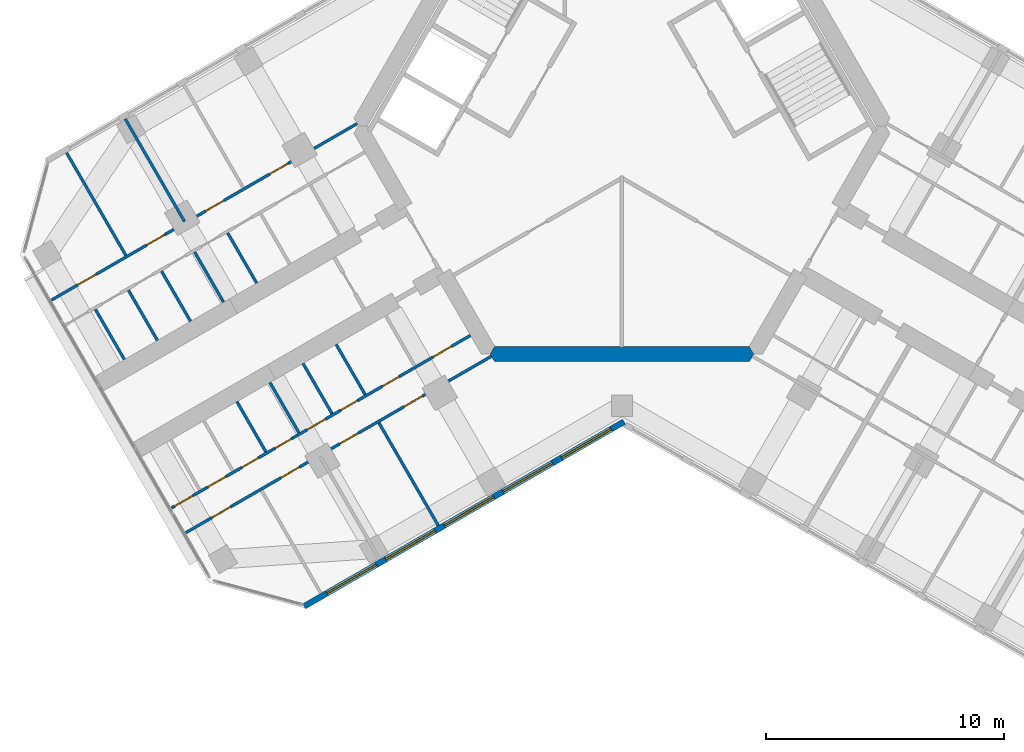
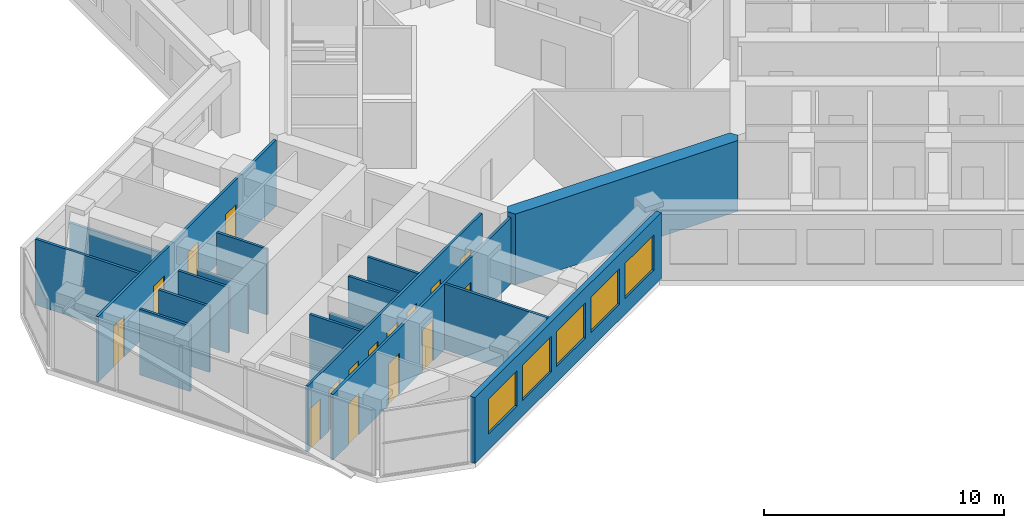
# One storey, part 8 of 16: 17 walls, 16 doors, 5 windows, 21 openings.
"""IFC4 building model written with IfcOpenShell, lengths in metres."""

from ifc_helpers import new_model, si_unit, direction, frame, frame_2d, origin, place, context, subcontext, project, spatial, polyline, rectangle, outline, extrude, material, layer, layer_set, type_object, element, fill, save


model = new_model("IFC4")

# Units and contexts
model_context = context("Model", 3, precision=1e-05, world=origin(), true_north=direction((0.0, 1.0)))
body_context = subcontext(model_context, "Body", "Model", "MODEL_VIEW")
ifc_project = project(units=[si_unit("LENGTHUNIT", "METRE"), si_unit("AREAUNIT", "SQUARE_METRE"), si_unit("VOLUMEUNIT", "CUBIC_METRE"), si_unit("PLANEANGLEUNIT", "RADIAN"), si_unit("MASSUNIT", "GRAM", prefix="KILO")], contexts=[model_context])

# Site, building, storey
site_placement = place(None, origin())
site = spatial("IfcSite", under=ifc_project, at=site_placement, CompositionType="ELEMENT")
building_placement = place(site_placement, origin())
building = spatial("IfcBuilding", under=site, at=building_placement, Name="Kosmar Iwan School Tower", CompositionType="ELEMENT")
storey_placement = place(building_placement, frame((0.0, 0.0, 219.0)))
storey = spatial("IfcBuildingStorey", under=building, at=storey_placement, Name="L55", CompositionType="ELEMENT", Elevation=219.0)

# Wall
ifc_material_1 = material(Name="Concrete C50/60", Category="concrete")
ifc_layer_1 = layer(ifc_material_1, 0.64990234375)
ifc_layer_set_1 = layer_set([ifc_layer_1], Name="Core wall 650")
wall_type_1 = type_object("IfcWallType", Name="Core wall 650", PredefinedType="SHEAR", material=ifc_layer_set_1)
wall_1_placement = place(storey_placement, origin())
element("IfcWall", 1, at=wall_1_placement, inside=storey, type_object=wall_type_1, Name="Core wall F270", PredefinedType="SHEAR", context=body_context, shape_type="SweptSolid", body=[
    extrude(outline(polyline([(-5.35498046875, -9.925048828125), (5.35498046875, -9.925048828125), (5.54248046875, -9.60009765625), (5.35498046875, -9.27490234375), (-5.35498046875, -9.27490234375), (-5.54248046875, -9.60009765625), (-5.35498046875, -9.925048828125)])), origin(), (0.0, 0.0, 1.0), 3.60009765625),
])

# Wall, openings, doors
ifc_material_2 = material(Name="Gypsum board on steel studs", Category="steel")
ifc_layer_2 = layer(ifc_material_2, 0.1201171875)
ifc_layer_set_2 = layer_set([ifc_layer_2], Name="Dwelling partition 120")
wall_type_2 = type_object("IfcWallType", Name="Dwelling partition 120", PredefinedType="PARTITIONING", material=ifc_layer_set_2)
wall_2_placement = place(storey_placement, frame((-6.370361328125, -8.81640625, 0.0), z_axis=(0.0, 0.0, 1.0), x_axis=(-0.866025425371, -0.499999962611, 0.0)))
wall_2 = element("IfcWall", 2, at=wall_2_placement, inside=storey, type_object=wall_type_2, Name="Partition L55-BL1-W1", PredefinedType="PARTITIONING", context=body_context, shape_type="SweptSolid", body=[
    extrude(rectangle(XDim=14.52001953125, YDim=0.1201171875, at=frame_2d((7.260009765625, 0.0))), origin(), (0.0, 0.0, 1.0), 3.35009765625),
])
opening_1_placement = place(wall_2_placement, frame((0.925048828125, 0.0, 0.0)))
opening_1 = element("IfcOpeningElement", 3, at=opening_1_placement, cuts=wall_2, Name="Opening D2", PredefinedType="OPENING", context=body_context, shape_type="SweptSolid", body=[
    extrude(rectangle(XDim=0.89990234375, YDim=2.10009765625, at=frame_2d((0.449951171875, 1.050048828125))), frame((0.0, 0.072021484375, 0.0), z_axis=(0.0, -1.0, 0.0), x_axis=(1.0, 0.0, 0.0)), (0.0, 0.0, 1.0), 0.14404296875),
])
opening_2_placement = place(wall_2_placement, frame((3.47998046875, 0.0, 0.0)))
opening_2 = element("IfcOpeningElement", 4, at=opening_2_placement, cuts=wall_2, Name="Opening D3", PredefinedType="OPENING", context=body_context, shape_type="SweptSolid", body=[
    extrude(rectangle(XDim=0.800048828125, YDim=2.10009765625, at=frame_2d((0.39990234375, 1.050048828125))), frame((0.0, 0.072021484375, 0.0), z_axis=(0.0, -1.0, 0.0), x_axis=(1.0, 0.0, 0.0)), (0.0, 0.0, 1.0), 0.14404296875),
])
opening_3_placement = place(wall_2_placement, frame((5.48828125, 0.0, 0.0)))
opening_3 = element("IfcOpeningElement", 5, at=opening_3_placement, cuts=wall_2, Name="Opening D3", PredefinedType="OPENING", context=body_context, shape_type="SweptSolid", body=[
    extrude(rectangle(XDim=0.800048828125, YDim=2.10009765625, at=frame_2d((0.39990234375, 1.050048828125))), frame((0.0, 0.072021484375, 0.0), z_axis=(0.0, -1.0, 0.0), x_axis=(1.0, 0.0, 0.0)), (0.0, 0.0, 1.0), 0.14404296875),
])
opening_4_placement = place(wall_2_placement, frame((7.044921875, 0.0, 0.0)))
opening_4 = element("IfcOpeningElement", 6, at=opening_4_placement, cuts=wall_2, Name="Opening D2", PredefinedType="OPENING", context=body_context, shape_type="SweptSolid", body=[
    extrude(rectangle(XDim=0.89990234375, YDim=2.10009765625, at=frame_2d((0.449951171875, 1.050048828125))), frame((0.0, 0.072021484375, 0.0), z_axis=(0.0, -1.0, 0.0), x_axis=(1.0, 0.0, 0.0)), (0.0, 0.0, 1.0), 0.14404296875),
])
opening_5_placement = place(wall_2_placement, frame((8.70166015625, 0.0, 0.0)))
opening_5 = element("IfcOpeningElement", 7, at=opening_5_placement, cuts=wall_2, Name="Opening D3", PredefinedType="OPENING", context=body_context, shape_type="SweptSolid", body=[
    extrude(rectangle(XDim=0.800048828125, YDim=2.10009765625, at=frame_2d((0.39990234375, 1.050048828125))), frame((0.0, 0.072021484375, 0.0), z_axis=(0.0, -1.0, 0.0), x_axis=(1.0, 0.0, 0.0)), (0.0, 0.0, 1.0), 0.14404296875),
])
opening_6_placement = place(wall_2_placement, frame((10.308349609375, 0.0, 0.0)))
opening_6 = element("IfcOpeningElement", 8, at=opening_6_placement, cuts=wall_2, Name="Opening D3", PredefinedType="OPENING", context=body_context, shape_type="SweptSolid", body=[
    extrude(rectangle(XDim=0.800048828125, YDim=2.10009765625, at=frame_2d((0.39990234375, 1.050048828125))), frame((0.0, 0.072021484375, 0.0), z_axis=(0.0, -1.0, 0.0), x_axis=(1.0, 0.0, 0.0)), (0.0, 0.0, 1.0), 0.14404296875),
])
opening_7_placement = place(wall_2_placement, frame((11.864990234375, 0.0, 0.0)))
opening_7 = element("IfcOpeningElement", 9, at=opening_7_placement, cuts=wall_2, Name="Opening D2", PredefinedType="OPENING", context=body_context, shape_type="SweptSolid", body=[
    extrude(rectangle(XDim=0.89990234375, YDim=2.10009765625, at=frame_2d((0.449951171875, 1.050048828125))), frame((0.0, 0.072021484375, 0.0), z_axis=(0.0, -1.0, 0.0), x_axis=(1.0, 0.0, 0.0)), (0.0, 0.0, 1.0), 0.14404296875),
])
opening_8_placement = place(wall_2_placement, frame((13.4716796875, 0.0, 0.0)))
opening_8 = element("IfcOpeningElement", 10, at=opening_8_placement, cuts=wall_2, Name="Opening D2", PredefinedType="OPENING", context=body_context, shape_type="SweptSolid", body=[
    extrude(rectangle(XDim=0.89990234375, YDim=2.10009765625, at=frame_2d((0.449951171875, 1.050048828125))), frame((0.0, 0.072021484375, 0.0), z_axis=(0.0, -1.0, 0.0), x_axis=(1.0, 0.0, 0.0)), (0.0, 0.0, 1.0), 0.14404296875),
])
ifc_material_3 = material(Name="Timber door in timber frame", Category="wood")
door_type_1 = type_object("IfcDoorType", Name="Internal door 900x2100", OperationType="SINGLE_SWING_LEFT", PredefinedType="DOOR", material=ifc_material_3)
door_1_placement = place(opening_1_placement, origin())
door_1 = element("IfcDoor", 11, at=door_1_placement, inside=storey, type_object=door_type_1, Name="Entrance hall door L55-BL1-S1", OperationType="SINGLE_SWING_LEFT", OverallHeight=2.10009765625, OverallWidth=0.89990234375, PredefinedType="DOOR", context=body_context, shape_type="SweptSolid", body=[
    extrude(rectangle(XDim=0.89990234375, YDim=2.10009765625, at=frame_2d((0.449951171875, 1.050048828125))), frame((0.0, 0.02490234375, 0.0), z_axis=(0.0, -1.0, 0.0), x_axis=(1.0, 0.0, 0.0)), (0.0, 0.0, 1.0), 0.050048828125),
])
fill(opening_1, door_1)
door_2_placement = place(opening_4_placement, origin())
door_2 = element("IfcDoor", 12, at=door_2_placement, inside=storey, type_object=door_type_1, Name="Pantry door L55-BL1-S4", OperationType="SINGLE_SWING_LEFT", OverallHeight=2.10009765625, OverallWidth=0.89990234375, PredefinedType="DOOR", context=body_context, shape_type="SweptSolid", body=[
    extrude(rectangle(XDim=0.89990234375, YDim=2.10009765625, at=frame_2d((0.449951171875, 1.050048828125))), frame((0.0, 0.02490234375, 0.0), z_axis=(0.0, -1.0, 0.0), x_axis=(1.0, 0.0, 0.0)), (0.0, 0.0, 1.0), 0.050048828125),
])
fill(opening_4, door_2)
door_3_placement = place(opening_7_placement, origin())
door_3 = element("IfcDoor", 13, at=door_3_placement, inside=storey, type_object=door_type_1, Name="Utility room door L55-BL1-S7", OperationType="SINGLE_SWING_RIGHT", OverallHeight=2.10009765625, OverallWidth=0.89990234375, PredefinedType="DOOR", context=body_context, shape_type="SweptSolid", body=[
    extrude(rectangle(XDim=0.89990234375, YDim=2.10009765625, at=frame_2d((0.449951171875, 1.050048828125))), frame((0.0, 0.02490234375, 0.0), z_axis=(0.0, -1.0, 0.0), x_axis=(1.0, 0.0, 0.0)), (0.0, 0.0, 1.0), 0.050048828125),
])
fill(opening_7, door_3)
door_4_placement = place(opening_8_placement, origin())
door_4 = element("IfcDoor", 14, at=door_4_placement, inside=storey, type_object=door_type_1, Name="Dressing room door L55-BL1-S8", OperationType="SINGLE_SWING_RIGHT", OverallHeight=2.10009765625, OverallWidth=0.89990234375, PredefinedType="DOOR", context=body_context, shape_type="SweptSolid", body=[
    extrude(rectangle(XDim=0.89990234375, YDim=2.10009765625, at=frame_2d((0.449951171875, 1.050048828125))), frame((0.0, 0.02490234375, 0.0), z_axis=(0.0, -1.0, 0.0), x_axis=(1.0, 0.0, 0.0)), (0.0, 0.0, 1.0), 0.050048828125),
])
fill(opening_8, door_4)
ifc_material_4 = material(Name="Timber door in timber frame", Category="wood")
door_type_2 = type_object("IfcDoorType", Name="Sanitary room door 800x2100", OperationType="SINGLE_SWING_LEFT", PredefinedType="DOOR", material=ifc_material_4)
door_5_placement = place(opening_2_placement, origin())
door_5 = element("IfcDoor", 15, at=door_5_placement, inside=storey, type_object=door_type_2, Name="Bathroom door L55-BL1-S2", OperationType="SINGLE_SWING_LEFT", OverallHeight=2.10009765625, OverallWidth=0.800048828125, PredefinedType="DOOR", context=body_context, shape_type="SweptSolid", body=[
    extrude(rectangle(XDim=0.800048828125, YDim=2.10009765625, at=frame_2d((0.39990234375, 1.050048828125))), frame((0.0, 0.02490234375, 0.0), z_axis=(0.0, -1.0, 0.0), x_axis=(1.0, 0.0, 0.0)), (0.0, 0.0, 1.0), 0.050048828125),
])
fill(opening_2, door_5)
door_6_placement = place(opening_3_placement, origin())
door_6 = element("IfcDoor", 16, at=door_6_placement, inside=storey, type_object=door_type_2, Name="Shower room door L55-BL1-S3", OperationType="SINGLE_SWING_LEFT", OverallHeight=2.10009765625, OverallWidth=0.800048828125, PredefinedType="DOOR", context=body_context, shape_type="SweptSolid", body=[
    extrude(rectangle(XDim=0.800048828125, YDim=2.10009765625, at=frame_2d((0.39990234375, 1.050048828125))), frame((0.0, 0.02490234375, 0.0), z_axis=(0.0, -1.0, 0.0), x_axis=(1.0, 0.0, 0.0)), (0.0, 0.0, 1.0), 0.050048828125),
])
fill(opening_3, door_6)
door_7_placement = place(opening_5_placement, origin())
door_7 = element("IfcDoor", 17, at=door_7_placement, inside=storey, type_object=door_type_2, Name="WC door L55-BL1-S5", OperationType="SINGLE_SWING_RIGHT", OverallHeight=2.10009765625, OverallWidth=0.800048828125, PredefinedType="DOOR", context=body_context, shape_type="SweptSolid", body=[
    extrude(rectangle(XDim=0.800048828125, YDim=2.10009765625, at=frame_2d((0.39990234375, 1.050048828125))), frame((0.0, 0.02490234375, 0.0), z_axis=(0.0, -1.0, 0.0), x_axis=(1.0, 0.0, 0.0)), (0.0, 0.0, 1.0), 0.050048828125),
])
fill(opening_5, door_7)
door_8_placement = place(opening_6_placement, origin())
door_8 = element("IfcDoor", 18, at=door_8_placement, inside=storey, type_object=door_type_2, Name="Store door L55-BL1-S6", OperationType="SINGLE_SWING_RIGHT", OverallHeight=2.10009765625, OverallWidth=0.800048828125, PredefinedType="DOOR", context=body_context, shape_type="SweptSolid", body=[
    extrude(rectangle(XDim=0.800048828125, YDim=2.10009765625, at=frame_2d((0.39990234375, 1.050048828125))), frame((0.0, 0.02490234375, 0.0), z_axis=(0.0, -1.0, 0.0), x_axis=(1.0, 0.0, 0.0)), (0.0, 0.0, 1.0), 0.050048828125),
])
fill(opening_6, door_8)

wall_3_placement = place(storey_placement, frame((-5.48876953125, -9.693115234375, 0.0), z_axis=(0.0, 0.0, 1.0), x_axis=(-0.866030301974, -0.499991515992, 0.0)))
wall_3 = element("IfcWall", 19, at=wall_3_placement, inside=storey, type_object=wall_type_2, Name="Partition L55-BL1-W2", PredefinedType="PARTITIONING", context=body_context, shape_type="SweptSolid", body=[
    extrude(rectangle(XDim=14.844970703125, YDim=0.1201171875, at=frame_2d((7.42236328125, 0.0))), origin(), (0.0, 0.0, 1.0), 3.35009765625),
])
opening_9_placement = place(wall_3_placement, frame((3.35009765625, 0.0, 0.0)))
opening_9 = element("IfcOpeningElement", 20, at=opening_9_placement, cuts=wall_3, Name="Opening D2", PredefinedType="OPENING", context=body_context, shape_type="SweptSolid", body=[
    extrude(rectangle(XDim=0.89990234375, YDim=2.10009765625, at=frame_2d((0.449951171875, 1.050048828125))), frame((0.0, 0.072021484375, 0.0), z_axis=(0.0, -1.0, 0.0), x_axis=(1.0, 0.0, 0.0)), (0.0, 0.0, 1.0), 0.14404296875),
])
opening_10_placement = place(wall_3_placement, frame((6.47509765625, 0.0, 0.0)))
opening_10 = element("IfcOpeningElement", 21, at=opening_10_placement, cuts=wall_3, Name="Opening D2", PredefinedType="OPENING", context=body_context, shape_type="SweptSolid", body=[
    extrude(rectangle(XDim=0.89990234375, YDim=2.10009765625, at=frame_2d((0.449951171875, 1.050048828125))), frame((0.0, 0.072021484375, 0.0), z_axis=(0.0, -1.0, 0.0), x_axis=(1.0, 0.0, 0.0)), (0.0, 0.0, 1.0), 0.14404296875),
])
opening_11_placement = place(wall_3_placement, frame((9.324951171875, 0.0, 0.0)))
opening_11 = element("IfcOpeningElement", 22, at=opening_11_placement, cuts=wall_3, Name="Opening D2", PredefinedType="OPENING", context=body_context, shape_type="SweptSolid", body=[
    extrude(rectangle(XDim=0.89990234375, YDim=2.10009765625, at=frame_2d((0.449951171875, 1.050048828125))), frame((0.0, 0.072021484375, 0.0), z_axis=(0.0, -1.0, 0.0), x_axis=(1.0, 0.0, 0.0)), (0.0, 0.0, 1.0), 0.14404296875),
])
opening_12_placement = place(wall_3_placement, frame((12.675048828125, 0.0, 0.0)))
opening_12 = element("IfcOpeningElement", 23, at=opening_12_placement, cuts=wall_3, Name="Opening D2", PredefinedType="OPENING", context=body_context, shape_type="SweptSolid", body=[
    extrude(rectangle(XDim=0.89990234375, YDim=2.10009765625, at=frame_2d((0.449951171875, 1.050048828125))), frame((0.0, 0.072021484375, 0.0), z_axis=(0.0, -1.0, 0.0), x_axis=(1.0, 0.0, 0.0)), (0.0, 0.0, 1.0), 0.14404296875),
])
door_9_placement = place(opening_9_placement, origin())
door_9 = element("IfcDoor", 24, at=door_9_placement, inside=storey, type_object=door_type_1, Name="Living room and kitchen door L55-BL1-F1", OperationType="SINGLE_SWING_RIGHT", OverallHeight=2.10009765625, OverallWidth=0.89990234375, PredefinedType="DOOR", context=body_context, shape_type="SweptSolid", body=[
    extrude(rectangle(XDim=0.89990234375, YDim=2.10009765625, at=frame_2d((0.449951171875, 1.050048828125))), frame((0.0, 0.02490234375, 0.0), z_axis=(0.0, -1.0, 0.0), x_axis=(1.0, 0.0, 0.0)), (0.0, 0.0, 1.0), 0.050048828125),
])
fill(opening_9, door_9)
door_10_placement = place(opening_10_placement, origin())
door_10 = element("IfcDoor", 25, at=door_10_placement, inside=storey, type_object=door_type_1, Name="Bedroom 1 door L55-BL1-F2", OperationType="SINGLE_SWING_LEFT", OverallHeight=2.10009765625, OverallWidth=0.89990234375, PredefinedType="DOOR", context=body_context, shape_type="SweptSolid", body=[
    extrude(rectangle(XDim=0.89990234375, YDim=2.10009765625, at=frame_2d((0.449951171875, 1.050048828125))), frame((0.0, 0.02490234375, 0.0), z_axis=(0.0, -1.0, 0.0), x_axis=(1.0, 0.0, 0.0)), (0.0, 0.0, 1.0), 0.050048828125),
])
fill(opening_10, door_10)
door_11_placement = place(opening_11_placement, origin())
door_11 = element("IfcDoor", 26, at=door_11_placement, inside=storey, type_object=door_type_1, Name="Bedroom 2 door L55-BL1-F3", OperationType="SINGLE_SWING_RIGHT", OverallHeight=2.10009765625, OverallWidth=0.89990234375, PredefinedType="DOOR", context=body_context, shape_type="SweptSolid", body=[
    extrude(rectangle(XDim=0.89990234375, YDim=2.10009765625, at=frame_2d((0.449951171875, 1.050048828125))), frame((0.0, 0.02490234375, 0.0), z_axis=(0.0, -1.0, 0.0), x_axis=(1.0, 0.0, 0.0)), (0.0, 0.0, 1.0), 0.050048828125),
])
fill(opening_11, door_11)
door_12_placement = place(opening_12_placement, origin())
door_12 = element("IfcDoor", 27, at=door_12_placement, inside=storey, type_object=door_type_1, Name="Bedroom 3 door L55-BL1-F4", OperationType="SINGLE_SWING_RIGHT", OverallHeight=2.10009765625, OverallWidth=0.89990234375, PredefinedType="DOOR", context=body_context, shape_type="SweptSolid", body=[
    extrude(rectangle(XDim=0.89990234375, YDim=2.10009765625, at=frame_2d((0.449951171875, 1.050048828125))), frame((0.0, 0.02490234375, 0.0), z_axis=(0.0, -1.0, 0.0), x_axis=(1.0, 0.0, 0.0)), (0.0, 0.0, 1.0), 0.050048828125),
])
fill(opening_12, door_12)

# Walls
wall_4_placement = place(storey_placement, frame((-10.221923828125, -12.4951171875, 0.0), z_axis=(0.0, 0.0, 1.0), x_axis=(0.499996339024, -0.86602751744, 0.0)))
element("IfcWall", 28, at=wall_4_placement, inside=storey, type_object=wall_type_2, Name="Partition L55-BL1-X1", PredefinedType="PARTITIONING", context=body_context, shape_type="SweptSolid", body=[
    extrude(rectangle(XDim=4.98974609375, YDim=0.1201171875, at=frame_2d((2.494873046875, 0.0))), origin(), (0.0, 0.0, 1.0), 3.35009765625),
])
for number, where, z_axis, x_axis, name in (
    (29, (-12.02392578125, -9.19384765625, 0.0), (0.0, 0.0, 1.0), (0.500002508028, -0.866023955769, 0.0), "Partition L55-BL1-Y2"),
    (30, (-13.41552734375, -9.9970703125, 0.0), (0.0, 0.0, 1.0), (0.500002508028, -0.866023955769, 0.0), "Partition L55-BL1-Y3"),
):
    element("IfcWall", number, at=place(storey_placement, frame(where, z_axis=z_axis, x_axis=x_axis)), inside=storey, type_object=wall_type_2, Name=name, PredefinedType="PARTITIONING", context=body_context, shape_type="SweptSolid", body=[
        extrude(rectangle(XDim=2.43994140625, YDim=0.1201171875, at=frame_2d((1.219970703125, 0.0))), origin(), (0.0, 0.0, 1.0), 3.35009765625),
    ])
wall_5_placement = place(storey_placement, frame((-14.806884765625, -10.80029296875, 0.0), z_axis=(0.0, 0.0, 1.0), x_axis=(0.499959183527, -0.866048967903, 0.0)))
element("IfcWall", 31, at=wall_5_placement, inside=storey, type_object=wall_type_2, Name="Partition L55-BL1-Y4", PredefinedType="PARTITIONING", context=body_context, shape_type="SweptSolid", body=[
    extrude(rectangle(XDim=2.440185546875, YDim=0.1201171875, at=frame_2d((1.22021484375, 0.0))), origin(), (0.0, 0.0, 1.0), 2.449951171875),
])
wall_6_placement = place(storey_placement, frame((-16.1982421875, -11.603759765625, 0.0), z_axis=(0.0, 0.0, 1.0), x_axis=(0.500002508028, -0.866023955769, 0.0)))
element("IfcWall", 32, at=wall_6_placement, inside=storey, type_object=wall_type_2, Name="Partition L55-BL1-Y5", PredefinedType="PARTITIONING", context=body_context, shape_type="SweptSolid", body=[
    extrude(rectangle(XDim=2.43994140625, YDim=0.1201171875, at=frame_2d((1.219970703125, 0.0))), origin(), (0.0, 0.0, 1.0), 3.35009765625),
])

# Wall, openings, doors
wall_7_placement = place(storey_placement, frame((-11.138916015625, 0.093017578125, 0.0), z_axis=(0.0, 0.0, 1.0), x_axis=(-0.866030301974, -0.499991515992, 0.0)))
wall_7 = element("IfcWall", 33, at=wall_7_placement, inside=storey, type_object=wall_type_2, Name="Partition L55-BR1-W2", PredefinedType="PARTITIONING", context=body_context, shape_type="SweptSolid", body=[
    extrude(rectangle(XDim=14.844970703125, YDim=0.1201171875, at=frame_2d((7.42236328125, 0.0))), origin(), (0.0, 0.0, 1.0), 3.35009765625),
])
opening_13_placement = place(wall_7_placement, frame((3.35009765625, 0.0, 0.0)))
opening_13 = element("IfcOpeningElement", 34, at=opening_13_placement, cuts=wall_7, Name="Opening D2", PredefinedType="OPENING", context=body_context, shape_type="SweptSolid", body=[
    extrude(rectangle(XDim=0.89990234375, YDim=2.10009765625, at=frame_2d((0.449951171875, 1.050048828125))), frame((0.0, 0.072021484375, 0.0), z_axis=(0.0, -1.0, 0.0), x_axis=(1.0, 0.0, 0.0)), (0.0, 0.0, 1.0), 0.14404296875),
])
opening_14_placement = place(wall_7_placement, frame((6.47509765625, 0.0, 0.0)))
opening_14 = element("IfcOpeningElement", 35, at=opening_14_placement, cuts=wall_7, Name="Opening D2", PredefinedType="OPENING", context=body_context, shape_type="SweptSolid", body=[
    extrude(rectangle(XDim=0.89990234375, YDim=2.10009765625, at=frame_2d((0.449951171875, 1.050048828125))), frame((0.0, 0.072021484375, 0.0), z_axis=(0.0, -1.0, 0.0), x_axis=(1.0, 0.0, 0.0)), (0.0, 0.0, 1.0), 0.14404296875),
])
opening_15_placement = place(wall_7_placement, frame((9.324951171875, 0.0, 0.0)))
opening_15 = element("IfcOpeningElement", 36, at=opening_15_placement, cuts=wall_7, Name="Opening D2", PredefinedType="OPENING", context=body_context, shape_type="SweptSolid", body=[
    extrude(rectangle(XDim=0.89990234375, YDim=2.10009765625, at=frame_2d((0.449951171875, 1.050048828125))), frame((0.0, 0.072021484375, 0.0), z_axis=(0.0, -1.0, 0.0), x_axis=(1.0, 0.0, 0.0)), (0.0, 0.0, 1.0), 0.14404296875),
])
opening_16_placement = place(wall_7_placement, frame((12.675048828125, 0.0, 0.0)))
opening_16 = element("IfcOpeningElement", 37, at=opening_16_placement, cuts=wall_7, Name="Opening D2", PredefinedType="OPENING", context=body_context, shape_type="SweptSolid", body=[
    extrude(rectangle(XDim=0.89990234375, YDim=2.10009765625, at=frame_2d((0.449951171875, 1.050048828125))), frame((0.0, 0.072021484375, 0.0), z_axis=(0.0, -1.0, 0.0), x_axis=(1.0, 0.0, 0.0)), (0.0, 0.0, 1.0), 0.14404296875),
])
door_13_placement = place(opening_13_placement, origin())
door_13 = element("IfcDoor", 38, at=door_13_placement, inside=storey, type_object=door_type_1, Name="Living room and kitchen door L55-BR1-F1", OperationType="SINGLE_SWING_LEFT", OverallHeight=2.10009765625, OverallWidth=0.89990234375, PredefinedType="DOOR", context=body_context, shape_type="SweptSolid", body=[
    extrude(rectangle(XDim=0.89990234375, YDim=2.10009765625, at=frame_2d((0.449951171875, 1.050048828125))), frame((0.0, 0.02490234375, 0.0), z_axis=(0.0, -1.0, 0.0), x_axis=(1.0, 0.0, 0.0)), (0.0, 0.0, 1.0), 0.050048828125),
])
fill(opening_13, door_13)
door_14_placement = place(opening_14_placement, origin())
door_14 = element("IfcDoor", 39, at=door_14_placement, inside=storey, type_object=door_type_1, Name="Bedroom 1 door L55-BR1-F2", OperationType="SINGLE_SWING_LEFT", OverallHeight=2.10009765625, OverallWidth=0.89990234375, PredefinedType="DOOR", context=body_context, shape_type="SweptSolid", body=[
    extrude(rectangle(XDim=0.89990234375, YDim=2.10009765625, at=frame_2d((0.449951171875, 1.050048828125))), frame((0.0, 0.02490234375, 0.0), z_axis=(0.0, -1.0, 0.0), x_axis=(1.0, 0.0, 0.0)), (0.0, 0.0, 1.0), 0.050048828125),
])
fill(opening_14, door_14)
door_15_placement = place(opening_15_placement, origin())
door_15 = element("IfcDoor", 40, at=door_15_placement, inside=storey, type_object=door_type_1, Name="Bedroom 2 door L55-BR1-F3", OperationType="SINGLE_SWING_RIGHT", OverallHeight=2.10009765625, OverallWidth=0.89990234375, PredefinedType="DOOR", context=body_context, shape_type="SweptSolid", body=[
    extrude(rectangle(XDim=0.89990234375, YDim=2.10009765625, at=frame_2d((0.449951171875, 1.050048828125))), frame((0.0, 0.02490234375, 0.0), z_axis=(0.0, -1.0, 0.0), x_axis=(1.0, 0.0, 0.0)), (0.0, 0.0, 1.0), 0.050048828125),
])
fill(opening_15, door_15)
door_16_placement = place(opening_16_placement, origin())
door_16 = element("IfcDoor", 41, at=door_16_placement, inside=storey, type_object=door_type_1, Name="Bedroom 3 door L55-BR1-F4", OperationType="SINGLE_SWING_RIGHT", OverallHeight=2.10009765625, OverallWidth=0.89990234375, PredefinedType="DOOR", context=body_context, shape_type="SweptSolid", body=[
    extrude(rectangle(XDim=0.89990234375, YDim=2.10009765625, at=frame_2d((0.449951171875, 1.050048828125))), frame((0.0, 0.02490234375, 0.0), z_axis=(0.0, -1.0, 0.0), x_axis=(1.0, 0.0, 0.0)), (0.0, 0.0, 1.0), 0.050048828125),
])
fill(opening_16, door_16)

# Walls
wall_8_placement = place(storey_placement, frame((-18.400146484375, -4.030029296875, 0.0), z_axis=(0.0, 0.0, 1.0), x_axis=(-0.500011847778, 0.866018563358, 0.0)))
element("IfcWall", 42, at=wall_8_placement, inside=storey, type_object=wall_type_2, Name="Partition L55-BR1-X2", PredefinedType="PARTITIONING", context=body_context, shape_type="SweptSolid", body=[
    extrude(rectangle(XDim=4.990234375, YDim=0.1201171875, at=frame_2d((2.4951171875, 0.0))), origin(), (0.0, 0.0, 1.0), 2.449951171875),
])
wall_9_placement = place(storey_placement, frame((-20.868408203125, -5.455078125, 0.0), z_axis=(0.0, 0.0, 1.0), x_axis=(-0.499975153383, 0.86603974851, 0.0)))
element("IfcWall", 43, at=wall_9_placement, inside=storey, type_object=wall_type_2, Name="Partition L55-BR1-X3", PredefinedType="PARTITIONING", context=body_context, shape_type="SweptSolid", body=[
    extrude(rectangle(XDim=4.989990234375, YDim=0.1201171875, at=frame_2d((2.4951171875, 0.0))), origin(), (0.0, 0.0, 1.0), 3.35009765625),
])
wall_10_placement = place(storey_placement, frame((-15.365478515625, -6.61962890625, 0.0), z_axis=(0.0, 0.0, 1.0), x_axis=(-0.500002508028, 0.866023955769, 0.0)))
element("IfcWall", 44, at=wall_10_placement, inside=storey, type_object=wall_type_2, Name="Partition L55-BR1-Y3", PredefinedType="PARTITIONING", context=body_context, shape_type="SweptSolid", body=[
    extrude(rectangle(XDim=2.43994140625, YDim=0.1201171875, at=frame_2d((1.219970703125, 0.0))), origin(), (0.0, 0.0, 1.0), 3.35009765625),
])
wall_11_placement = place(storey_placement, frame((-16.7568359375, -7.4228515625, 0.0), z_axis=(0.0, 0.0, 1.0), x_axis=(-0.500002508028, 0.866023955769, 0.0)))
element("IfcWall", 45, at=wall_11_placement, inside=storey, type_object=wall_type_2, Name="Partition L55-BR1-Y4", PredefinedType="PARTITIONING", context=body_context, shape_type="SweptSolid", body=[
    extrude(rectangle(XDim=2.43994140625, YDim=0.1201171875, at=frame_2d((1.219970703125, 0.0))), origin(), (0.0, 0.0, 1.0), 2.449951171875),
])
wall_12_placement = place(storey_placement, frame((-18.148193359375, -8.226318359375, 0.0), z_axis=(0.0, 0.0, 1.0), x_axis=(-0.500034220881, 0.866005645448, 0.0)))
element("IfcWall", 46, at=wall_12_placement, inside=storey, type_object=wall_type_2, Name="Partition L55-BR1-Y5", PredefinedType="PARTITIONING", context=body_context, shape_type="SweptSolid", body=[
    extrude(rectangle(XDim=2.440185546875, YDim=0.1201171875, at=frame_2d((1.22021484375, 0.0))), origin(), (0.0, 0.0, 1.0), 3.35009765625),
])
wall_13_placement = place(storey_placement, frame((-19.539794921875, -9.029541015625, 0.0), z_axis=(0.0, 0.0, 1.0), x_axis=(-0.500002508028, 0.866023955769, 0.0)))
element("IfcWall", 47, at=wall_13_placement, inside=storey, type_object=wall_type_2, Name="Partition L55-BR1-Y6", PredefinedType="PARTITIONING", context=body_context, shape_type="SweptSolid", body=[
    extrude(rectangle(XDim=2.43994140625, YDim=0.1201171875, at=frame_2d((1.219970703125, 0.0))), origin(), (0.0, 0.0, 1.0), 3.35009765625),
])
wall_14_placement = place(storey_placement, frame((-20.93115234375, -9.8330078125, 0.0), z_axis=(0.0, 0.0, 1.0), x_axis=(-0.499959183527, 0.866048967903, 0.0)))
element("IfcWall", 48, at=wall_14_placement, inside=storey, type_object=wall_type_2, Name="Partition L55-BR1-Y7", PredefinedType="PARTITIONING", context=body_context, shape_type="SweptSolid", body=[
    extrude(rectangle(XDim=2.440185546875, YDim=0.1201171875, at=frame_2d((1.22021484375, 0.0))), origin(), (0.0, 0.0, 1.0), 3.35009765625),
])

# Wall, openings, windows
ifc_material_5 = material(Name="Black aluminium rainscreen on insulated framing", Category="aluminium")
ifc_layer_3 = layer(ifc_material_5, 0.25)
ifc_layer_set_3 = layer_set([ifc_layer_3], Name="External wall rainscreen 250")
wall_type_3 = type_object("IfcWallType", Name="External wall rainscreen 250", PredefinedType="SOLIDWALL", material=ifc_layer_set_3)
wall_15_placement = place(storey_placement, frame((0.088134765625, -12.44873046875, 0.0), z_axis=(0.0, 0.0, 1.0), x_axis=(-0.866029894971, -0.499992220956, 0.0)))
wall_15 = element("IfcWall", 49, at=wall_15_placement, inside=storey, type_object=wall_type_3, Name="External wall BL L55", PredefinedType="SOLIDWALL", context=body_context, shape_type="SweptSolid", body=[
    extrude(rectangle(XDim=15.537353515625, YDim=0.25, at=frame_2d((7.7685546875, 0.0))), origin(), (0.0, 0.0, 1.0), 3.35009765625),
])
opening_17_placement = place(wall_15_placement, frame((0.626953125, 0.0, 0.800048828125)))
opening_17 = element("IfcOpeningElement", 50, at=opening_17_placement, cuts=wall_15, Name="Opening W5", PredefinedType="OPENING", context=body_context, shape_type="SweptSolid", body=[
    extrude(rectangle(XDim=2.39990234375, YDim=1.800048828125, at=frame_2d((1.199951171875, 0.89990234375))), frame((0.0, 0.136962890625, 0.0), z_axis=(0.0, -1.0, 0.0), x_axis=(1.0, 0.0, 0.0)), (0.0, 0.0, 1.0), 0.27392578125),
])
opening_18_placement = place(wall_15_placement, frame((3.47705078125, 0.0, 0.800048828125)))
opening_18 = element("IfcOpeningElement", 51, at=opening_18_placement, cuts=wall_15, Name="Opening W5", PredefinedType="OPENING", context=body_context, shape_type="SweptSolid", body=[
    extrude(rectangle(XDim=2.39990234375, YDim=1.800048828125, at=frame_2d((1.199951171875, 0.89990234375))), frame((0.0, 0.136962890625, 0.0), z_axis=(0.0, -1.0, 0.0), x_axis=(1.0, 0.0, 0.0)), (0.0, 0.0, 1.0), 0.27392578125),
])
opening_19_placement = place(wall_15_placement, frame((6.326904296875, 0.0, 0.800048828125)))
opening_19 = element("IfcOpeningElement", 52, at=opening_19_placement, cuts=wall_15, Name="Opening W5", PredefinedType="OPENING", context=body_context, shape_type="SweptSolid", body=[
    extrude(rectangle(XDim=2.39990234375, YDim=1.800048828125, at=frame_2d((1.199951171875, 0.89990234375))), frame((0.0, 0.136962890625, 0.0), z_axis=(0.0, -1.0, 0.0), x_axis=(1.0, 0.0, 0.0)), (0.0, 0.0, 1.0), 0.27392578125),
])
opening_20_placement = place(wall_15_placement, frame((9.177001953125, 0.0, 0.800048828125)))
opening_20 = element("IfcOpeningElement", 53, at=opening_20_placement, cuts=wall_15, Name="Opening W5", PredefinedType="OPENING", context=body_context, shape_type="SweptSolid", body=[
    extrude(rectangle(XDim=2.39990234375, YDim=1.800048828125, at=frame_2d((1.199951171875, 0.89990234375))), frame((0.0, 0.136962890625, 0.0), z_axis=(0.0, -1.0, 0.0), x_axis=(1.0, 0.0, 0.0)), (0.0, 0.0, 1.0), 0.27392578125),
])
opening_21_placement = place(wall_15_placement, frame((12.027099609375, 0.0, 0.800048828125)))
opening_21 = element("IfcOpeningElement", 54, at=opening_21_placement, cuts=wall_15, Name="Opening W5", PredefinedType="OPENING", context=body_context, shape_type="SweptSolid", body=[
    extrude(rectangle(XDim=2.39990234375, YDim=1.800048828125, at=frame_2d((1.199951171875, 0.89990234375))), frame((0.0, 0.136962890625, 0.0), z_axis=(0.0, -1.0, 0.0), x_axis=(1.0, 0.0, 0.0)), (0.0, 0.0, 1.0), 0.27392578125),
])
ifc_material_6 = material(Name="Black aluminium frame with dark triple glazing", Category="aluminium")
window_type = type_object("IfcWindowType", Name="Window 2400x1800", PartitioningType="SINGLE_PANEL", PredefinedType="WINDOW", material=ifc_material_6)
window_1_placement = place(opening_17_placement, origin())
window_1 = element("IfcWindow", 55, at=window_1_placement, inside=storey, type_object=window_type, Name="Window BL L55 -1", OverallHeight=1.800048828125, OverallWidth=2.39990234375, PartitioningType="SINGLE_PANEL", PredefinedType="WINDOW", context=body_context, shape_type="SweptSolid", body=[
    extrude(rectangle(XDim=2.39990234375, YDim=1.800048828125, at=frame_2d((1.199951171875, 0.89990234375))), frame((0.0, 0.030029296875, 0.0), z_axis=(0.0, -1.0, 0.0), x_axis=(1.0, 0.0, 0.0)), (0.0, 0.0, 1.0), 0.06005859375),
])
fill(opening_17, window_1)
window_2_placement = place(opening_18_placement, origin())
window_2 = element("IfcWindow", 56, at=window_2_placement, inside=storey, type_object=window_type, Name="Window BL L55 0", OverallHeight=1.800048828125, OverallWidth=2.39990234375, PartitioningType="SINGLE_PANEL", PredefinedType="WINDOW", context=body_context, shape_type="SweptSolid", body=[
    extrude(rectangle(XDim=2.39990234375, YDim=1.800048828125, at=frame_2d((1.199951171875, 0.89990234375))), frame((0.0, 0.030029296875, 0.0), z_axis=(0.0, -1.0, 0.0), x_axis=(1.0, 0.0, 0.0)), (0.0, 0.0, 1.0), 0.06005859375),
])
fill(opening_18, window_2)
window_3_placement = place(opening_19_placement, origin())
window_3 = element("IfcWindow", 57, at=window_3_placement, inside=storey, type_object=window_type, Name="Window BL L55 1", OverallHeight=1.800048828125, OverallWidth=2.39990234375, PartitioningType="SINGLE_PANEL", PredefinedType="WINDOW", context=body_context, shape_type="SweptSolid", body=[
    extrude(rectangle(XDim=2.39990234375, YDim=1.800048828125, at=frame_2d((1.199951171875, 0.89990234375))), frame((0.0, 0.030029296875, 0.0), z_axis=(0.0, -1.0, 0.0), x_axis=(1.0, 0.0, 0.0)), (0.0, 0.0, 1.0), 0.06005859375),
])
fill(opening_19, window_3)
window_4_placement = place(opening_20_placement, origin())
window_4 = element("IfcWindow", 58, at=window_4_placement, inside=storey, type_object=window_type, Name="Window BL L55 2", OverallHeight=1.800048828125, OverallWidth=2.39990234375, PartitioningType="SINGLE_PANEL", PredefinedType="WINDOW", context=body_context, shape_type="SweptSolid", body=[
    extrude(rectangle(XDim=2.39990234375, YDim=1.800048828125, at=frame_2d((1.199951171875, 0.89990234375))), frame((0.0, 0.030029296875, 0.0), z_axis=(0.0, -1.0, 0.0), x_axis=(1.0, 0.0, 0.0)), (0.0, 0.0, 1.0), 0.06005859375),
])
fill(opening_20, window_4)
window_5_placement = place(opening_21_placement, origin())
window_5 = element("IfcWindow", 59, at=window_5_placement, inside=storey, type_object=window_type, Name="Window BL L55 3", OverallHeight=1.800048828125, OverallWidth=2.39990234375, PartitioningType="SINGLE_PANEL", PredefinedType="WINDOW", context=body_context, shape_type="SweptSolid", body=[
    extrude(rectangle(XDim=2.39990234375, YDim=1.800048828125, at=frame_2d((1.199951171875, 0.89990234375))), frame((0.0, 0.030029296875, 0.0), z_axis=(0.0, -1.0, 0.0), x_axis=(1.0, 0.0, 0.0)), (0.0, 0.0, 1.0), 0.06005859375),
])
fill(opening_21, window_5)

save(model, "model.ifc")
